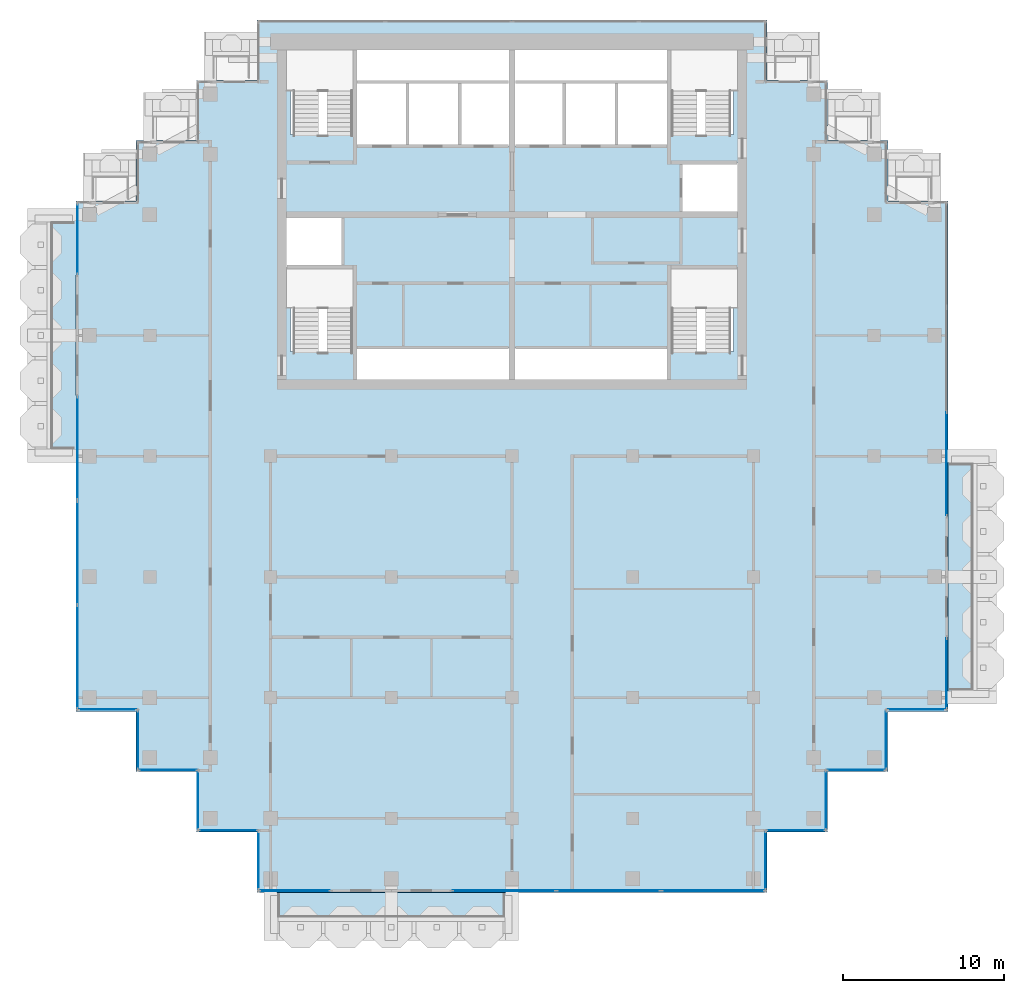
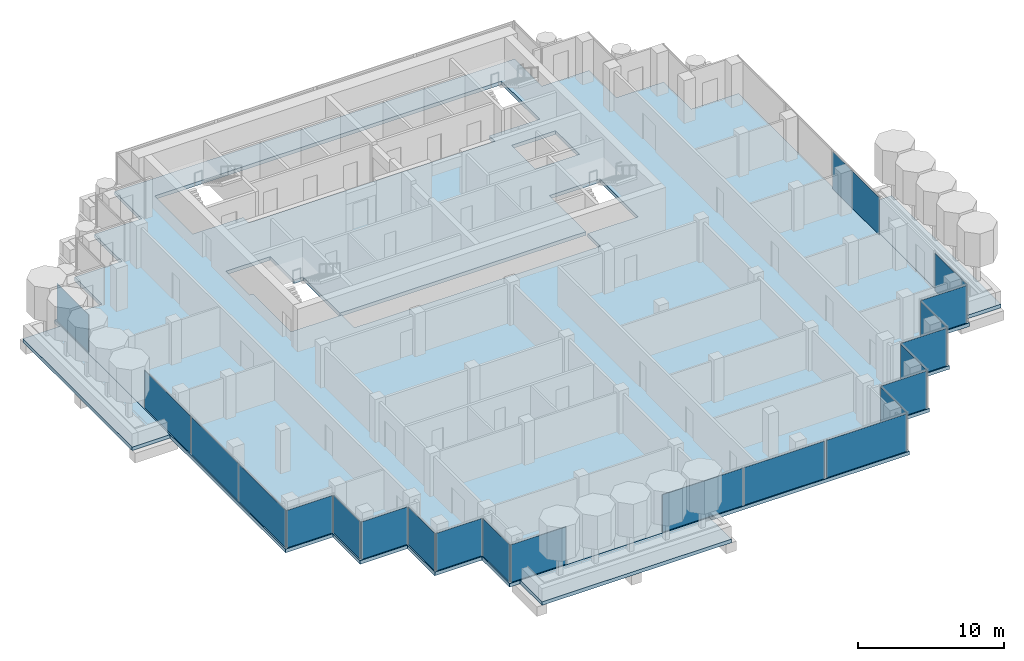
# One storey, part 8 of 18: 22 plates, 4 slabs, 20 elements without a shape of their own.
"""IFC4 building model written with IfcOpenShell, lengths in metres."""

from ifc_helpers import new_model, si_unit, direction, frame, origin, origin_2d, place, context, subcontext, project, spatial, polyline, rectangle, outline, extrude, material, layer, layer_set, type_object, element, aggregate, save


model = new_model("IFC4")

# Units and contexts
model_context = context("Model", 3, precision=1e-05, world=origin(), true_north=direction((0.0, 1.0)))
body_context = subcontext(model_context, "Body", "Model", "MODEL_VIEW")
ifc_project = project(units=[si_unit("LENGTHUNIT", "METRE"), si_unit("AREAUNIT", "SQUARE_METRE"), si_unit("VOLUMEUNIT", "CUBIC_METRE"), si_unit("PLANEANGLEUNIT", "RADIAN"), si_unit("MASSUNIT", "GRAM", prefix="KILO")], contexts=[model_context])

# Site, building, storey
site_placement = place(None, origin())
site = spatial("IfcSite", under=ifc_project, at=site_placement, CompositionType="ELEMENT")
building_placement = place(site_placement, origin())
building = spatial("IfcBuilding", under=site, at=building_placement, Name="Pilkhan Gate Tower", CompositionType="ELEMENT")
storey_placement = place(building_placement, frame((0.0, 0.0, 242.699951171875)))
storey = spatial("IfcBuildingStorey", under=building, at=storey_placement, Name="L63", CompositionType="ELEMENT", Elevation=242.699951171875)

# Slabs
ifc_material_1 = material(Name="Concrete C60/75", Category="concrete")
ifc_layer_1 = layer(ifc_material_1, 0.300048828125)
ifc_layer_set_1 = layer_set([ifc_layer_1], Name="Balcony tray slab TR300")
slab_type_1 = type_object("IfcSlabType", Name="Balcony tray slab TR300", PredefinedType="FLOOR", material=ifc_layer_set_1)
slab_1_placement = place(storey_placement, frame((0.0, 0.0, -0.300048828125)))
element("IfcSlab", 1, at=slab_1_placement, inside=storey, type_object=slab_type_1, Name="Balcony tray L63 S", PredefinedType="FLOOR", context=body_context, shape_type="SweptSolid", body=[
    extrude(outline(polyline([(75.0, 37.39990234375), (75.0, 40.39990234375), (60.0, 40.39990234375), (60.0, 37.39990234375), (75.0, 37.39990234375)])), origin(), (0.0, 0.0, 1.0), 0.300048828125),
])
slab_2_placement = place(storey_placement, frame((0.0, 0.0, -0.300048828125)))
element("IfcSlab", 2, at=slab_2_placement, inside=storey, type_object=slab_type_1, Name="Balcony tray L63 E", PredefinedType="FLOOR", context=body_context, shape_type="SweptSolid", body=[
    extrude(outline(polyline([(105.10009765625, 52.5), (105.10009765625, 67.5), (102.10009765625, 67.5), (102.10009765625, 52.5), (105.10009765625, 52.5)])), origin(), (0.0, 0.0, 1.0), 0.300048828125),
])
slab_3_placement = place(storey_placement, frame((0.0, 0.0, -0.300048828125)))
element("IfcSlab", 3, at=slab_3_placement, inside=storey, type_object=slab_type_1, Name="Balcony tray L63 W", PredefinedType="FLOOR", context=body_context, shape_type="SweptSolid", body=[
    extrude(outline(polyline([(47.89990234375, 67.5), (47.89990234375, 82.5), (44.89990234375, 82.5), (44.89990234375, 67.5), (47.89990234375, 67.5)])), origin(), (0.0, 0.0, 1.0), 0.300048828125),
])
ifc_material_2 = material(Name="Concrete C40/50", Category="concrete")
ifc_layer_2 = layer(ifc_material_2, 0.300048828125)
ifc_layer_set_2 = layer_set([ifc_layer_2], Name="Flat plate slab FP300")
slab_type_2 = type_object("IfcSlabType", Name="Flat plate slab FP300", PredefinedType="FLOOR", material=ifc_layer_set_2)
slab_4_placement = place(storey_placement, frame((0.0, 0.0, -0.300048828125)))
element("IfcSlab", 4, at=slab_4_placement, inside=storey, type_object=slab_type_2, Name="Floor slab L63", PredefinedType="FLOOR", context=body_context, shape_type="SweptSolid", body=[
    extrude(outline(polyline([(98.35009765625, 47.89990234375), (94.60009765625, 47.89990234375), (94.60009765625, 44.14990234375), (90.85009765625, 44.14990234375), (90.85009765625, 40.39990234375), (59.14990234375, 40.39990234375), (59.14990234375, 44.14990234375), (55.39990234375, 44.14990234375), (55.39990234375, 47.89990234375), (51.64990234375, 47.89990234375), (51.64990234375, 51.64990234375), (47.89990234375, 51.64990234375), (47.89990234375, 83.35009765625), (51.64990234375, 83.35009765625), (51.64990234375, 87.10009765625), (55.39990234375, 87.10009765625), (55.39990234375, 90.85009765625), (59.14990234375, 90.85009765625), (59.14990234375, 94.60009765625), (90.85009765625, 94.60009765625), (90.85009765625, 90.85009765625), (94.60009765625, 90.85009765625), (94.60009765625, 87.10009765625), (98.35009765625, 87.10009765625), (98.35009765625, 83.35009765625), (102.10009765625, 83.35009765625), (102.10009765625, 51.64990234375), (98.35009765625, 51.64990234375), (98.35009765625, 47.89990234375)]), holes=[polyline([(75.0, 72.25), (84.75, 72.25), (84.75, 74.0), (88.75, 74.0), (88.75, 79.25), (84.75, 79.25), (84.75, 74.25), (75.0, 74.25), (65.25, 74.25), (65.25, 79.25), (64.5, 79.25), (64.5, 82.5), (61.25, 82.5), (61.0, 82.5), (61.0, 79.25), (61.25, 79.25), (61.25, 74.0), (65.25, 74.0), (65.25, 72.25), (75.0, 72.25)]), polyline([(68.5, 86.75), (71.75, 86.75), (75.0, 86.75), (78.25, 86.75), (81.5, 86.75), (84.75, 86.75), (84.75, 87.5), (88.75, 87.5), (88.75, 92.75), (84.75, 92.75), (75.0, 92.75), (65.25, 92.75), (61.25, 92.75), (61.25, 87.5), (65.25, 87.5), (65.25, 86.75), (68.5, 86.75)]), polyline([(85.5, 85.75), (85.5, 82.5), (88.75, 82.5), (89.0, 82.5), (89.0, 85.75), (88.75, 85.75), (85.5, 85.75)])]), origin(), (0.0, 0.0, 1.0), 0.300048828125),
])

# Curtain wall, plate
ifc_material_3 = material(Name="Pale anodised aluminium, clear low-iron double glazing", Category="aluminium")
curtain_wall_type = type_object("IfcCurtainWallType", Name="Office unitised curtain wall CW-O2", PredefinedType="USERDEFINED", material=ifc_material_3)
curtain_wall_1_placement = place(storey_placement, origin())
curtain_wall_1 = element("IfcCurtainWall", 5, at=curtain_wall_1_placement, inside=storey, type_object=curtain_wall_type, Name="Office unitised curtain wall CW-O2 L63 E", ObjectType="UNITISED CURTAIN WALL", PredefinedType="USERDEFINED")
ifc_material_4 = material(Name="Clear low-iron double glazing", Category="glass")
ifc_layer_3 = layer(ifc_material_4, 0.031982421875)
ifc_layer_set_3 = layer_set([ifc_layer_3], Name="Glass panel CW-O2 32")
plate_type = type_object("IfcPlateType", Name="Glass panel CW-O2 32", PredefinedType="CURTAIN_PANEL", material=ifc_layer_set_3)
plate_1_placement = place(storey_placement, frame((102.0, 54.0, 0.0), z_axis=(0.0, 0.0, 1.0), x_axis=(0.0, 1.0, 0.0)))
plate_1 = element("IfcPlate", 6, at=plate_1_placement, type_object=plate_type, Name="CW-O2 panel 1", PredefinedType="CURTAIN_PANEL", context=body_context, shape_type="SweptSolid", body=[
    extrude(rectangle(XDim=4.3701171875, YDim=0.031982421875, at=origin_2d()), origin(), (0.0, 0.0, 1.0), 3.135009765625),
])
aggregate(curtain_wall_1, [plate_1])

curtain_wall_2_placement = place(storey_placement, origin())
curtain_wall_2 = element("IfcCurtainWall", 7, at=curtain_wall_2_placement, inside=storey, type_object=curtain_wall_type, Name="Office unitised curtain wall CW-O2 L63 E", ObjectType="UNITISED CURTAIN WALL", PredefinedType="USERDEFINED")
plate_2_placement = place(storey_placement, frame((102.0, 67.016357421875, 0.0), z_axis=(0.0, 0.0, 1.0), x_axis=(0.0, 1.0, 0.0)))
plate_2 = element("IfcPlate", 8, at=plate_2_placement, type_object=plate_type, Name="CW-O2 panel 1", PredefinedType="CURTAIN_PANEL", context=body_context, shape_type="SweptSolid", body=[
    extrude(rectangle(XDim=6.402587890625, YDim=0.031982421875, at=origin_2d()), origin(), (0.0, 0.0, 1.0), 3.135009765625),
])
aggregate(curtain_wall_2, [plate_2])

# Curtain wall, plates
curtain_wall_3_placement = place(storey_placement, origin())
curtain_wall_3 = element("IfcCurtainWall", 9, at=curtain_wall_3_placement, inside=storey, type_object=curtain_wall_type, Name="Office unitised curtain wall CW-O2 L63 W", ObjectType="UNITISED CURTAIN WALL", PredefinedType="USERDEFINED")
plate_3_placement = place(storey_placement, frame((48.0, 55.016357421875, 0.0), z_axis=(0.0, 0.0, 1.0), x_axis=(0.0, 1.0, 0.0)))
plate_3 = element("IfcPlate", 10, at=plate_3_placement, type_object=plate_type, Name="CW-O2 panel 1", PredefinedType="CURTAIN_PANEL", context=body_context, shape_type="SweptSolid", body=[
    extrude(rectangle(XDim=6.402587890625, YDim=0.031982421875, at=origin_2d()), origin(), (0.0, 0.0, 1.0), 3.135009765625),
])
plate_4_placement = place(storey_placement, frame((48.0, 61.483642578125, 0.0), z_axis=(0.0, 0.0, 1.0), x_axis=(0.0, 1.0, 0.0)))
plate_4 = element("IfcPlate", 11, at=plate_4_placement, type_object=plate_type, Name="CW-O2 panel 2", PredefinedType="CURTAIN_PANEL", context=body_context, shape_type="SweptSolid", body=[
    extrude(rectangle(XDim=6.402587890625, YDim=0.031982421875, at=origin_2d()), origin(), (0.0, 0.0, 1.0), 3.135009765625),
])
aggregate(curtain_wall_3, [plate_3, plate_4])

# Curtain wall, plate
curtain_wall_4_placement = place(storey_placement, origin())
curtain_wall_4 = element("IfcCurtainWall", 12, at=curtain_wall_4_placement, inside=storey, type_object=curtain_wall_type, Name="Office unitised curtain wall CW-O2 L63 W", ObjectType="UNITISED CURTAIN WALL", PredefinedType="USERDEFINED")
plate_5_placement = place(storey_placement, frame((48.0, 68.0, 0.0), z_axis=(0.0, 0.0, 1.0), x_axis=(0.0, 1.0, 0.0)))
plate_5 = element("IfcPlate", 13, at=plate_5_placement, type_object=plate_type, Name="CW-O2 panel 1", PredefinedType="CURTAIN_PANEL", context=body_context, shape_type="SweptSolid", body=[
    extrude(rectangle(XDim=6.3701171875, YDim=0.031982421875, at=origin_2d()), origin(), (0.0, 0.0, 1.0), 3.135009765625),
])
aggregate(curtain_wall_4, [plate_5])

curtain_wall_5_placement = place(storey_placement, origin())
curtain_wall_5 = element("IfcCurtainWall", 14, at=curtain_wall_5_placement, inside=storey, type_object=curtain_wall_type, Name="Office unitised curtain wall CW-O2 L63 W", ObjectType="UNITISED CURTAIN WALL", PredefinedType="USERDEFINED")
plate_6_placement = place(storey_placement, frame((48.0, 81.0, 0.0), z_axis=(0.0, 0.0, 1.0), x_axis=(0.0, 1.0, 0.0)))
plate_6 = element("IfcPlate", 15, at=plate_6_placement, type_object=plate_type, Name="CW-O2 panel 1", PredefinedType="CURTAIN_PANEL", context=body_context, shape_type="SweptSolid", body=[
    extrude(rectangle(XDim=4.3701171875, YDim=0.031982421875, at=origin_2d()), origin(), (0.0, 0.0, 1.0), 3.135009765625),
])
aggregate(curtain_wall_5, [plate_6])

curtain_wall_6_placement = place(storey_placement, origin())
curtain_wall_6 = element("IfcCurtainWall", 16, at=curtain_wall_6_placement, inside=storey, type_object=curtain_wall_type, Name="Office unitised curtain wall CW-O2 L63 S", ObjectType="UNITISED CURTAIN WALL", PredefinedType="USERDEFINED")
plate_7_placement = place(storey_placement, frame((49.875, 51.75, 0.0), z_axis=(0.0, 0.0, 1.0), x_axis=(1.0, 0.0, 0.0)))
plate_7 = element("IfcPlate", 17, at=plate_7_placement, type_object=plate_type, Name="CW-O2 panel 1", PredefinedType="CURTAIN_PANEL", context=body_context, shape_type="SweptSolid", body=[
    extrude(rectangle(XDim=3.6201171875, YDim=0.031982421875, at=origin_2d()), origin(), (0.0, 0.0, 1.0), 3.135009765625),
])
aggregate(curtain_wall_6, [plate_7])

curtain_wall_7_placement = place(storey_placement, origin())
curtain_wall_7 = element("IfcCurtainWall", 18, at=curtain_wall_7_placement, inside=storey, type_object=curtain_wall_type, Name="Office unitised curtain wall CW-O2 L63 W", ObjectType="UNITISED CURTAIN WALL", PredefinedType="USERDEFINED")
plate_8_placement = place(storey_placement, frame((51.75, 49.875, 0.0), z_axis=(0.0, 0.0, 1.0), x_axis=(0.0, 1.0, 0.0)))
plate_8 = element("IfcPlate", 19, at=plate_8_placement, type_object=plate_type, Name="CW-O2 panel 1", PredefinedType="CURTAIN_PANEL", context=body_context, shape_type="SweptSolid", body=[
    extrude(rectangle(XDim=3.6201171875, YDim=0.031982421875, at=origin_2d()), origin(), (0.0, 0.0, 1.0), 3.135009765625),
])
aggregate(curtain_wall_7, [plate_8])

curtain_wall_8_placement = place(storey_placement, origin())
curtain_wall_8 = element("IfcCurtainWall", 20, at=curtain_wall_8_placement, inside=storey, type_object=curtain_wall_type, Name="Office unitised curtain wall CW-O2 L63 S", ObjectType="UNITISED CURTAIN WALL", PredefinedType="USERDEFINED")
plate_9_placement = place(storey_placement, frame((53.625, 48.0, 0.0), z_axis=(0.0, 0.0, 1.0), x_axis=(1.0, 0.0, 0.0)))
plate_9 = element("IfcPlate", 21, at=plate_9_placement, type_object=plate_type, Name="CW-O2 panel 1", PredefinedType="CURTAIN_PANEL", context=body_context, shape_type="SweptSolid", body=[
    extrude(rectangle(XDim=3.6201171875, YDim=0.031982421875, at=origin_2d()), origin(), (0.0, 0.0, 1.0), 3.135009765625),
])
aggregate(curtain_wall_8, [plate_9])

curtain_wall_9_placement = place(storey_placement, origin())
curtain_wall_9 = element("IfcCurtainWall", 22, at=curtain_wall_9_placement, inside=storey, type_object=curtain_wall_type, Name="Office unitised curtain wall CW-O2 L63 W", ObjectType="UNITISED CURTAIN WALL", PredefinedType="USERDEFINED")
plate_10_placement = place(storey_placement, frame((55.5, 46.125, 0.0), z_axis=(0.0, 0.0, 1.0), x_axis=(0.0, 1.0, 0.0)))
plate_10 = element("IfcPlate", 23, at=plate_10_placement, type_object=plate_type, Name="CW-O2 panel 1", PredefinedType="CURTAIN_PANEL", context=body_context, shape_type="SweptSolid", body=[
    extrude(rectangle(XDim=3.6201171875, YDim=0.031982421875, at=origin_2d()), origin(), (0.0, 0.0, 1.0), 3.135009765625),
])
aggregate(curtain_wall_9, [plate_10])

curtain_wall_10_placement = place(storey_placement, origin())
curtain_wall_10 = element("IfcCurtainWall", 24, at=curtain_wall_10_placement, inside=storey, type_object=curtain_wall_type, Name="Office unitised curtain wall CW-O2 L63 S", ObjectType="UNITISED CURTAIN WALL", PredefinedType="USERDEFINED")
plate_11_placement = place(storey_placement, frame((57.375, 44.25, 0.0), z_axis=(0.0, 0.0, 1.0), x_axis=(1.0, 0.0, 0.0)))
plate_11 = element("IfcPlate", 25, at=plate_11_placement, type_object=plate_type, Name="CW-O2 panel 1", PredefinedType="CURTAIN_PANEL", context=body_context, shape_type="SweptSolid", body=[
    extrude(rectangle(XDim=3.6201171875, YDim=0.031982421875, at=origin_2d()), origin(), (0.0, 0.0, 1.0), 3.135009765625),
])
aggregate(curtain_wall_10, [plate_11])

curtain_wall_11_placement = place(storey_placement, origin())
curtain_wall_11 = element("IfcCurtainWall", 26, at=curtain_wall_11_placement, inside=storey, type_object=curtain_wall_type, Name="Office unitised curtain wall CW-O2 L63 W", ObjectType="UNITISED CURTAIN WALL", PredefinedType="USERDEFINED")
plate_12_placement = place(storey_placement, frame((59.25, 42.375, 0.0), z_axis=(0.0, 0.0, 1.0), x_axis=(0.0, 1.0, 0.0)))
plate_12 = element("IfcPlate", 27, at=plate_12_placement, type_object=plate_type, Name="CW-O2 panel 1", PredefinedType="CURTAIN_PANEL", context=body_context, shape_type="SweptSolid", body=[
    extrude(rectangle(XDim=3.6201171875, YDim=0.031982421875, at=origin_2d()), origin(), (0.0, 0.0, 1.0), 3.135009765625),
])
aggregate(curtain_wall_11, [plate_12])

curtain_wall_12_placement = place(storey_placement, origin())
curtain_wall_12 = element("IfcCurtainWall", 28, at=curtain_wall_12_placement, inside=storey, type_object=curtain_wall_type, Name="Office unitised curtain wall CW-O2 L63 S", ObjectType="UNITISED CURTAIN WALL", PredefinedType="USERDEFINED")
plate_13_placement = place(storey_placement, frame((61.5, 40.5, 0.0), z_axis=(0.0, 0.0, 1.0), x_axis=(1.0, 0.0, 0.0)))
plate_13 = element("IfcPlate", 29, at=plate_13_placement, type_object=plate_type, Name="CW-O2 panel 1", PredefinedType="CURTAIN_PANEL", context=body_context, shape_type="SweptSolid", body=[
    extrude(rectangle(XDim=4.3701171875, YDim=0.031982421875, at=origin_2d()), origin(), (0.0, 0.0, 1.0), 3.135009765625),
])
aggregate(curtain_wall_12, [plate_13])

# Curtain wall, plates
curtain_wall_13_placement = place(storey_placement, origin())
curtain_wall_13 = element("IfcCurtainWall", 30, at=curtain_wall_13_placement, inside=storey, type_object=curtain_wall_type, Name="Office unitised curtain wall CW-O2 L63 S", ObjectType="UNITISED CURTAIN WALL", PredefinedType="USERDEFINED")
plate_14_placement = place(storey_placement, frame((74.516357421875, 40.5, 0.0), z_axis=(0.0, 0.0, 1.0), x_axis=(1.0, 0.0, 0.0)))
plate_14 = element("IfcPlate", 31, at=plate_14_placement, type_object=plate_type, Name="CW-O2 panel 1", PredefinedType="CURTAIN_PANEL", context=body_context, shape_type="SweptSolid", body=[
    extrude(rectangle(XDim=6.402587890625, YDim=0.031982421875, at=origin_2d()), origin(), (0.0, 0.0, 1.0), 3.135009765625),
])
plate_15_placement = place(storey_placement, frame((80.983642578125, 40.5, 0.0), z_axis=(0.0, 0.0, 1.0), x_axis=(1.0, 0.0, 0.0)))
plate_15 = element("IfcPlate", 32, at=plate_15_placement, type_object=plate_type, Name="CW-O2 panel 2", PredefinedType="CURTAIN_PANEL", context=body_context, shape_type="SweptSolid", body=[
    extrude(rectangle(XDim=6.402587890625, YDim=0.031982421875, at=origin_2d()), origin(), (0.0, 0.0, 1.0), 3.135009765625),
])
aggregate(curtain_wall_13, [plate_14, plate_15])

# Curtain wall, plate
curtain_wall_14_placement = place(storey_placement, origin())
curtain_wall_14 = element("IfcCurtainWall", 33, at=curtain_wall_14_placement, inside=storey, type_object=curtain_wall_type, Name="Office unitised curtain wall CW-O2 L63 S", ObjectType="UNITISED CURTAIN WALL", PredefinedType="USERDEFINED")
plate_16_placement = place(storey_placement, frame((87.5, 40.5, 0.0), z_axis=(0.0, 0.0, 1.0), x_axis=(1.0, 0.0, 0.0)))
plate_16 = element("IfcPlate", 34, at=plate_16_placement, type_object=plate_type, Name="CW-O2 panel 1", PredefinedType="CURTAIN_PANEL", context=body_context, shape_type="SweptSolid", body=[
    extrude(rectangle(XDim=6.3701171875, YDim=0.031982421875, at=origin_2d()), origin(), (0.0, 0.0, 1.0), 3.135009765625),
])
aggregate(curtain_wall_14, [plate_16])

curtain_wall_15_placement = place(storey_placement, origin())
curtain_wall_15 = element("IfcCurtainWall", 35, at=curtain_wall_15_placement, inside=storey, type_object=curtain_wall_type, Name="Office unitised curtain wall CW-O2 L63 E", ObjectType="UNITISED CURTAIN WALL", PredefinedType="USERDEFINED")
plate_17_placement = place(storey_placement, frame((90.75, 42.375, 0.0), z_axis=(0.0, 0.0, 1.0), x_axis=(0.0, 1.0, 0.0)))
plate_17 = element("IfcPlate", 36, at=plate_17_placement, type_object=plate_type, Name="CW-O2 panel 1", PredefinedType="CURTAIN_PANEL", context=body_context, shape_type="SweptSolid", body=[
    extrude(rectangle(XDim=3.6201171875, YDim=0.031982421875, at=origin_2d()), origin(), (0.0, 0.0, 1.0), 3.135009765625),
])
aggregate(curtain_wall_15, [plate_17])

curtain_wall_16_placement = place(storey_placement, origin())
curtain_wall_16 = element("IfcCurtainWall", 37, at=curtain_wall_16_placement, inside=storey, type_object=curtain_wall_type, Name="Office unitised curtain wall CW-O2 L63 S", ObjectType="UNITISED CURTAIN WALL", PredefinedType="USERDEFINED")
plate_18_placement = place(storey_placement, frame((92.625, 44.25, 0.0), z_axis=(0.0, 0.0, 1.0), x_axis=(1.0, 0.0, 0.0)))
plate_18 = element("IfcPlate", 38, at=plate_18_placement, type_object=plate_type, Name="CW-O2 panel 1", PredefinedType="CURTAIN_PANEL", context=body_context, shape_type="SweptSolid", body=[
    extrude(rectangle(XDim=3.6201171875, YDim=0.031982421875, at=origin_2d()), origin(), (0.0, 0.0, 1.0), 3.135009765625),
])
aggregate(curtain_wall_16, [plate_18])

curtain_wall_17_placement = place(storey_placement, origin())
curtain_wall_17 = element("IfcCurtainWall", 39, at=curtain_wall_17_placement, inside=storey, type_object=curtain_wall_type, Name="Office unitised curtain wall CW-O2 L63 E", ObjectType="UNITISED CURTAIN WALL", PredefinedType="USERDEFINED")
plate_19_placement = place(storey_placement, frame((94.5, 46.125, 0.0), z_axis=(0.0, 0.0, 1.0), x_axis=(0.0, 1.0, 0.0)))
plate_19 = element("IfcPlate", 40, at=plate_19_placement, type_object=plate_type, Name="CW-O2 panel 1", PredefinedType="CURTAIN_PANEL", context=body_context, shape_type="SweptSolid", body=[
    extrude(rectangle(XDim=3.6201171875, YDim=0.031982421875, at=origin_2d()), origin(), (0.0, 0.0, 1.0), 3.135009765625),
])
aggregate(curtain_wall_17, [plate_19])

curtain_wall_18_placement = place(storey_placement, origin())
curtain_wall_18 = element("IfcCurtainWall", 41, at=curtain_wall_18_placement, inside=storey, type_object=curtain_wall_type, Name="Office unitised curtain wall CW-O2 L63 S", ObjectType="UNITISED CURTAIN WALL", PredefinedType="USERDEFINED")
plate_20_placement = place(storey_placement, frame((96.375, 48.0, 0.0), z_axis=(0.0, 0.0, 1.0), x_axis=(1.0, 0.0, 0.0)))
plate_20 = element("IfcPlate", 42, at=plate_20_placement, type_object=plate_type, Name="CW-O2 panel 1", PredefinedType="CURTAIN_PANEL", context=body_context, shape_type="SweptSolid", body=[
    extrude(rectangle(XDim=3.6201171875, YDim=0.031982421875, at=origin_2d()), origin(), (0.0, 0.0, 1.0), 3.135009765625),
])
aggregate(curtain_wall_18, [plate_20])

curtain_wall_19_placement = place(storey_placement, origin())
curtain_wall_19 = element("IfcCurtainWall", 43, at=curtain_wall_19_placement, inside=storey, type_object=curtain_wall_type, Name="Office unitised curtain wall CW-O2 L63 E", ObjectType="UNITISED CURTAIN WALL", PredefinedType="USERDEFINED")
plate_21_placement = place(storey_placement, frame((98.25, 49.875, 0.0), z_axis=(0.0, 0.0, 1.0), x_axis=(0.0, 1.0, 0.0)))
plate_21 = element("IfcPlate", 44, at=plate_21_placement, type_object=plate_type, Name="CW-O2 panel 1", PredefinedType="CURTAIN_PANEL", context=body_context, shape_type="SweptSolid", body=[
    extrude(rectangle(XDim=3.6201171875, YDim=0.031982421875, at=origin_2d()), origin(), (0.0, 0.0, 1.0), 3.135009765625),
])
aggregate(curtain_wall_19, [plate_21])

curtain_wall_20_placement = place(storey_placement, origin())
curtain_wall_20 = element("IfcCurtainWall", 45, at=curtain_wall_20_placement, inside=storey, type_object=curtain_wall_type, Name="Office unitised curtain wall CW-O2 L63 S", ObjectType="UNITISED CURTAIN WALL", PredefinedType="USERDEFINED")
plate_22_placement = place(storey_placement, frame((100.125, 51.75, 0.0), z_axis=(0.0, 0.0, 1.0), x_axis=(1.0, 0.0, 0.0)))
plate_22 = element("IfcPlate", 46, at=plate_22_placement, type_object=plate_type, Name="CW-O2 panel 1", PredefinedType="CURTAIN_PANEL", context=body_context, shape_type="SweptSolid", body=[
    extrude(rectangle(XDim=3.6201171875, YDim=0.031982421875, at=origin_2d()), origin(), (0.0, 0.0, 1.0), 3.135009765625),
])
aggregate(curtain_wall_20, [plate_22])

save(model, "model.ifc")
